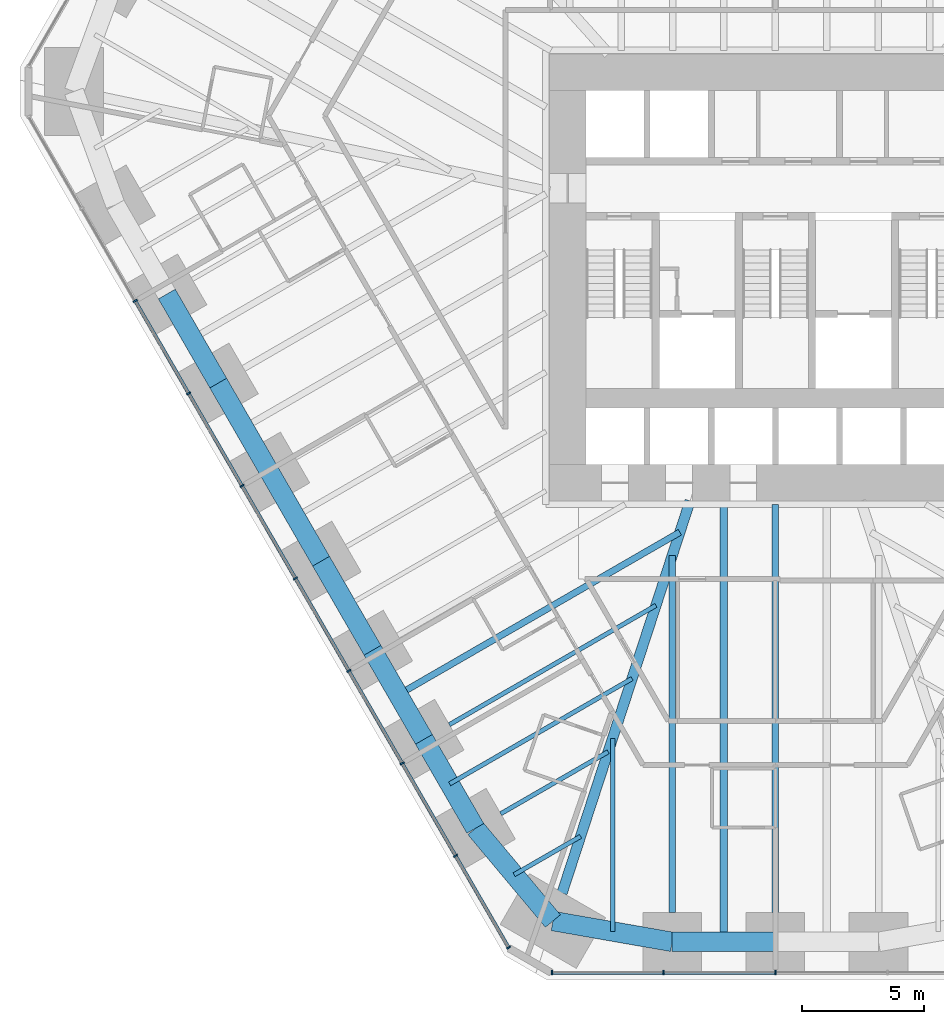
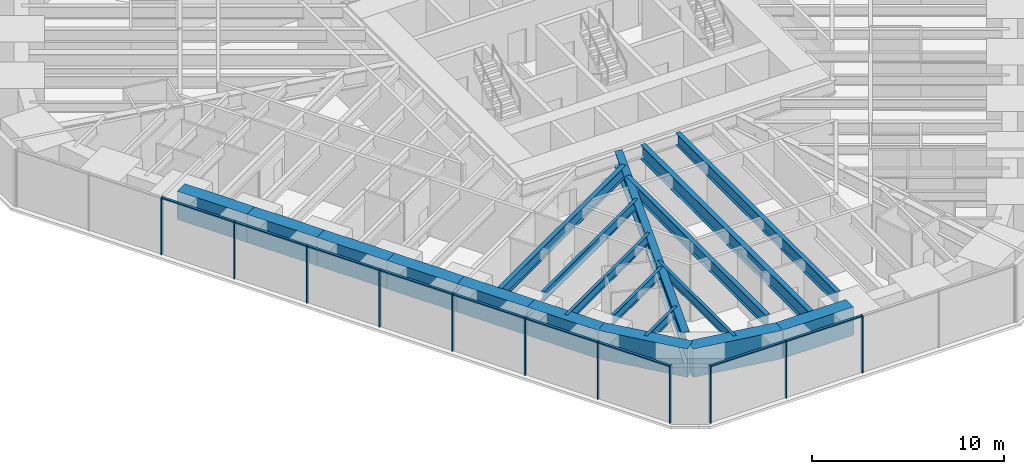
# One storey, part 2 of 17: 20 members, 19 beams, 2 elements without a shape of their own.
"""IFC4 building model written with IfcOpenShell, lengths in metres."""

from ifc_helpers import new_model, si_unit, direction, frame, origin, origin_2d, place, context, subcontext, project, spatial, rectangle, i_section, extrude, material, material_profile, profile_set, type_object, element, aggregate, save


model = new_model("IFC4")

# Units and contexts
model_context = context("Model", 3, precision=1e-05, world=origin(), true_north=direction((0.0, 1.0)))
body_context = subcontext(model_context, "Body", "Model", "MODEL_VIEW")
ifc_project = project(units=[si_unit("LENGTHUNIT", "METRE"), si_unit("AREAUNIT", "SQUARE_METRE"), si_unit("VOLUMEUNIT", "CUBIC_METRE"), si_unit("PLANEANGLEUNIT", "RADIAN"), si_unit("MASSUNIT", "GRAM", prefix="KILO")], contexts=[model_context])

# Site, building, storey
site_placement = place(None, origin())
site = spatial("IfcSite", under=ifc_project, at=site_placement, CompositionType="ELEMENT")
building_placement = place(site_placement, origin())
building = spatial("IfcBuilding", under=site, at=building_placement, Name="Sandreach Pilgrim Tower", CompositionType="ELEMENT")
storey_placement = place(building_placement, frame((0.0, 0.0, 53.39990234375)))
storey = spatial("IfcBuildingStorey", under=building, at=storey_placement, Name="L12", CompositionType="ELEMENT", Elevation=53.39990234375)

# Curtain wall, members
ifc_material_1 = material(Name="Aluminium framed curtain wall", Category="aluminium")
curtain_wall_type = type_object("IfcCurtainWallType", Name="Hostel tower curtain wall", PredefinedType="NOTDEFINED", material=ifc_material_1)
curtain_wall_1_placement = place(storey_placement, origin())
curtain_wall_1 = element("IfcCurtainWall", 1, at=curtain_wall_1_placement, inside=storey, type_object=curtain_wall_type, Name="CW-1 L12 S", PredefinedType="NOTDEFINED")
ifc_material_2 = material(Name="Aluminium extrusion", Category="aluminium")
ifc_material_profile_1 = material_profile(ifc_material_2, rectangle(XDim=0.06494140625, YDim=0.179931640625, at=origin_2d()), Name="CW-1M 65X180")
ifc_profile_set_1 = profile_set([ifc_material_profile_1], Name="Aluminium extrusion")
member_type_1 = type_object("IfcMemberType", Name="CW-1 mullion", PredefinedType="MULLION", material=ifc_profile_set_1)
member_1_placement = place(storey_placement, frame((0.0, -30.010986328125, 0.0), z_axis=(0.0, 0.0, 1.0), x_axis=(-1.0, 0.0, 0.0)))
member_1 = element("IfcMember", 2, at=member_1_placement, type_object=member_type_1, Name="CW-1 mullion 3", PredefinedType="MULLION", context=body_context, shape_type="SweptSolid", body=[
    extrude(rectangle(XDim=0.06494140625, YDim=0.179931640625, at=origin_2d()), origin(), (0.0, 0.0, 1.0), 3.64013671875),
])
member_2_placement = place(storey_placement, frame((-4.5859375, -30.010986328125, 0.0), z_axis=(0.0, 0.0, 1.0), x_axis=(-1.0, 0.0, 0.0)))
member_2 = element("IfcMember", 3, at=member_2_placement, type_object=member_type_1, Name="CW-1 mullion 4", PredefinedType="MULLION", context=body_context, shape_type="SweptSolid", body=[
    extrude(rectangle(XDim=0.06494140625, YDim=0.179931640625, at=origin_2d()), origin(), (0.0, 0.0, 1.0), 3.64013671875),
])
member_3_placement = place(storey_placement, frame((-9.1396484375, -30.010986328125, 0.0), z_axis=(0.0, 0.0, 1.0), x_axis=(-1.0, 0.0, 0.0)))
member_3 = element("IfcMember", 4, at=member_3_placement, type_object=member_type_1, Name="CW-1 mullion 5", PredefinedType="MULLION", context=body_context, shape_type="SweptSolid", body=[
    extrude(rectangle(XDim=0.06494140625, YDim=0.179931640625, at=origin_2d()), origin(), (0.0, 0.0, 1.0), 3.64013671875),
])

curtain_wall_2_placement = place(storey_placement, origin())
curtain_wall_2 = element("IfcCurtainWall", 5, at=curtain_wall_2_placement, inside=storey, type_object=curtain_wall_type, Name="CW-1 L12 SW", PredefinedType="NOTDEFINED")
member_4_placement = place(storey_placement, frame((-10.92041015625, -28.982666015625, 0.0), z_axis=(0.0, 0.0, 1.0), x_axis=(-0.5, 0.866025403784, 0.0)))
member_4 = element("IfcMember", 6, at=member_4_placement, type_object=member_type_1, Name="CW-1 mullion 1", PredefinedType="MULLION", context=body_context, shape_type="SweptSolid", body=[
    extrude(rectangle(XDim=0.06494140625, YDim=0.179931640625, at=origin_2d()), origin(), (0.0, 0.0, 1.0), 3.64013671875),
])
member_5_placement = place(storey_placement, frame((-13.08984375, -25.22509765625, 0.0), z_axis=(0.0, 0.0, 1.0), x_axis=(-0.5, 0.866025403784, 0.0)))
member_5 = element("IfcMember", 7, at=member_5_placement, type_object=member_type_1, Name="CW-1 mullion 2", PredefinedType="MULLION", context=body_context, shape_type="SweptSolid", body=[
    extrude(rectangle(XDim=0.06494140625, YDim=0.179931640625, at=origin_2d()), origin(), (0.0, 0.0, 1.0), 3.64013671875),
])
member_6_placement = place(storey_placement, frame((-15.275634765625, -21.439208984375, 0.0), z_axis=(0.0, 0.0, 1.0), x_axis=(-0.5, 0.866025403784, 0.0)))
member_6 = element("IfcMember", 8, at=member_6_placement, type_object=member_type_1, Name="CW-1 mullion 3", PredefinedType="MULLION", context=body_context, shape_type="SweptSolid", body=[
    extrude(rectangle(XDim=0.06494140625, YDim=0.179931640625, at=origin_2d()), origin(), (0.0, 0.0, 1.0), 3.64013671875),
])
member_7_placement = place(storey_placement, frame((-17.46142578125, -17.6533203125, 0.0), z_axis=(0.0, 0.0, 1.0), x_axis=(-0.5, 0.866025403784, 0.0)))
member_7 = element("IfcMember", 9, at=member_7_placement, type_object=member_type_1, Name="CW-1 mullion 4", PredefinedType="MULLION", context=body_context, shape_type="SweptSolid", body=[
    extrude(rectangle(XDim=0.06494140625, YDim=0.179931640625, at=origin_2d()), origin(), (0.0, 0.0, 1.0), 3.64013671875),
])
member_8_placement = place(storey_placement, frame((-19.647216796875, -13.8671875, 0.0), z_axis=(0.0, 0.0, 1.0), x_axis=(-0.5, 0.866025403784, 0.0)))
member_8 = element("IfcMember", 10, at=member_8_placement, type_object=member_type_1, Name="CW-1 mullion 5", PredefinedType="MULLION", context=body_context, shape_type="SweptSolid", body=[
    extrude(rectangle(XDim=0.06494140625, YDim=0.179931640625, at=origin_2d()), origin(), (0.0, 0.0, 1.0), 3.64013671875),
])
member_9_placement = place(storey_placement, frame((-21.8330078125, -10.081298828125, 0.0), z_axis=(0.0, 0.0, 1.0), x_axis=(-0.5, 0.866025403784, 0.0)))
member_9 = element("IfcMember", 11, at=member_9_placement, type_object=member_type_1, Name="CW-1 mullion 6", PredefinedType="MULLION", context=body_context, shape_type="SweptSolid", body=[
    extrude(rectangle(XDim=0.06494140625, YDim=0.179931640625, at=origin_2d()), origin(), (0.0, 0.0, 1.0), 3.64013671875),
])
member_10_placement = place(storey_placement, frame((-24.018798828125, -6.29541015625, 0.0), z_axis=(0.0, 0.0, 1.0), x_axis=(-0.5, 0.866025403784, 0.0)))
member_10 = element("IfcMember", 12, at=member_10_placement, type_object=member_type_1, Name="CW-1 mullion 7", PredefinedType="MULLION", context=body_context, shape_type="SweptSolid", body=[
    extrude(rectangle(XDim=0.06494140625, YDim=0.179931640625, at=origin_2d()), origin(), (0.0, 0.0, 1.0), 3.64013671875),
])
member_11_placement = place(storey_placement, frame((-26.20458984375, -2.509521484375, 0.0), z_axis=(0.0, 0.0, 1.0), x_axis=(-0.5, 0.866025403784, 0.0)))
member_11 = element("IfcMember", 13, at=member_11_placement, type_object=member_type_1, Name="CW-1 mullion 8", PredefinedType="MULLION", context=body_context, shape_type="SweptSolid", body=[
    extrude(rectangle(XDim=0.06494140625, YDim=0.179931640625, at=origin_2d()), origin(), (0.0, 0.0, 1.0), 3.64013671875),
])

# Member
ifc_material_3 = material(Name="Aluminium extrusion", Category="aluminium")
ifc_material_profile_2 = material_profile(ifc_material_3, rectangle(XDim=0.139892578125, YDim=0.070068359375, at=origin_2d()), Name="CW-1T 140X70")
ifc_profile_set_2 = profile_set([ifc_material_profile_2], Name="Aluminium extrusion")
member_type_2 = type_object("IfcMemberType", Name="CW-1 transom", PredefinedType="USERDEFINED", material=ifc_profile_set_2)
member_12_placement = place(storey_placement, frame((-0.032470703125, -30.010986328125, 3.60498046875), z_axis=(-1.0, 0.0, 0.0), x_axis=(0.0, -1.0, 0.0)))
member_12 = element("IfcMember", 14, at=member_12_placement, type_object=member_type_2, Name="CW-1 head transom 3", ObjectType="TRANSOM", PredefinedType="USERDEFINED", context=body_context, shape_type="SweptSolid", body=[
    extrude(rectangle(XDim=0.139892578125, YDim=0.070068359375, at=origin_2d()), origin(), (0.0, 0.0, 1.0), 4.52099609375),
])

member_13_placement = place(storey_placement, frame((-4.61865234375, -30.010986328125, 3.60498046875), z_axis=(-1.0, 0.0, 0.0), x_axis=(0.0, -1.0, 0.0)))
member_13 = element("IfcMember", 15, at=member_13_placement, type_object=member_type_2, Name="CW-1 head transom 4", ObjectType="TRANSOM", PredefinedType="USERDEFINED", context=body_context, shape_type="SweptSolid", body=[
    extrude(rectangle(XDim=0.139892578125, YDim=0.070068359375, at=origin_2d()), origin(), (0.0, 0.0, 1.0), 4.488525390625),
])

aggregate(curtain_wall_1, [member_1, member_2, member_3, member_12, member_13])

member_14_placement = place(storey_placement, frame((-10.9365234375, -28.95458984375, 3.60498046875), z_axis=(-0.500033953635, 0.866005799756, 0.0), x_axis=(-0.866005799756, -0.500033953635, 0.0)))
member_14 = element("IfcMember", 16, at=member_14_placement, type_object=member_type_2, Name="CW-1 head transom 1", ObjectType="TRANSOM", PredefinedType="USERDEFINED", context=body_context, shape_type="SweptSolid", body=[
    extrude(rectangle(XDim=0.139892578125, YDim=0.070068359375, at=origin_2d()), origin(), (0.0, 0.0, 1.0), 4.274169921875),
])

member_15_placement = place(storey_placement, frame((-13.106201171875, -25.19677734375, 3.60498046875), z_axis=(-0.500016891966, 0.866015650984, 0.0), x_axis=(-0.866015650984, -0.500016891966, 0.0)))
member_15 = element("IfcMember", 17, at=member_15_placement, type_object=member_type_2, Name="CW-1 head transom 2", ObjectType="TRANSOM", PredefinedType="USERDEFINED", context=body_context, shape_type="SweptSolid", body=[
    extrude(rectangle(XDim=0.139892578125, YDim=0.070068359375, at=origin_2d()), origin(), (0.0, 0.0, 1.0), 4.306396484375),
])

member_16_placement = place(storey_placement, frame((-15.2919921875, -21.410888671875, 3.60498046875), z_axis=(-0.500016891966, 0.866015650984, 0.0), x_axis=(-0.866015650984, -0.500016891966, 0.0)))
member_16 = element("IfcMember", 18, at=member_16_placement, type_object=member_type_2, Name="CW-1 head transom 3", ObjectType="TRANSOM", PredefinedType="USERDEFINED", context=body_context, shape_type="SweptSolid", body=[
    extrude(rectangle(XDim=0.139892578125, YDim=0.070068359375, at=origin_2d()), origin(), (0.0, 0.0, 1.0), 4.306396484375),
])

member_17_placement = place(storey_placement, frame((-17.477783203125, -17.625, 3.60498046875), z_axis=(-0.500016891966, 0.866015650984, 0.0), x_axis=(-0.866015650984, -0.500016891966, 0.0)))
member_17 = element("IfcMember", 19, at=member_17_placement, type_object=member_type_2, Name="CW-1 head transom 4", ObjectType="TRANSOM", PredefinedType="USERDEFINED", context=body_context, shape_type="SweptSolid", body=[
    extrude(rectangle(XDim=0.139892578125, YDim=0.070068359375, at=origin_2d()), origin(), (0.0, 0.0, 1.0), 4.306396484375),
])

member_18_placement = place(storey_placement, frame((-19.66357421875, -13.839111328125, 3.60498046875), z_axis=(-0.500016891966, 0.866015650984, 0.0), x_axis=(-0.866015650984, -0.500016891966, 0.0)))
member_18 = element("IfcMember", 20, at=member_18_placement, type_object=member_type_2, Name="CW-1 head transom 5", ObjectType="TRANSOM", PredefinedType="USERDEFINED", context=body_context, shape_type="SweptSolid", body=[
    extrude(rectangle(XDim=0.139892578125, YDim=0.070068359375, at=origin_2d()), origin(), (0.0, 0.0, 1.0), 4.306396484375),
])

member_19_placement = place(storey_placement, frame((-21.849365234375, -10.05322265625, 3.60498046875), z_axis=(-0.500016891966, 0.866015650984, 0.0), x_axis=(-0.866015650984, -0.500016891966, 0.0)))
member_19 = element("IfcMember", 21, at=member_19_placement, type_object=member_type_2, Name="CW-1 head transom 6", ObjectType="TRANSOM", PredefinedType="USERDEFINED", context=body_context, shape_type="SweptSolid", body=[
    extrude(rectangle(XDim=0.139892578125, YDim=0.070068359375, at=origin_2d()), origin(), (0.0, 0.0, 1.0), 4.306396484375),
])

member_20_placement = place(storey_placement, frame((-24.03515625, -6.267333984375, 3.60498046875), z_axis=(-0.500016891966, 0.866015650984, 0.0), x_axis=(-0.866015650984, -0.500016891966, 0.0)))
member_20 = element("IfcMember", 22, at=member_20_placement, type_object=member_type_2, Name="CW-1 head transom 7", ObjectType="TRANSOM", PredefinedType="USERDEFINED", context=body_context, shape_type="SweptSolid", body=[
    extrude(rectangle(XDim=0.139892578125, YDim=0.070068359375, at=origin_2d()), origin(), (0.0, 0.0, 1.0), 4.306396484375),
])

aggregate(curtain_wall_2, [member_4, member_5, member_6, member_7, member_8, member_9, member_10, member_11, member_14, member_15, member_16, member_17, member_18, member_19, member_20])

# Beams
ifc_material_4 = material(Name="Steel ASTM A992 Grade 50", Category="steel")
ifc_material_profile_3 = material_profile(ifc_material_4, i_section(OverallWidth=0.424072265625, OverallDepth=0.965087890625, WebThickness=0.028564453125, FlangeThickness=0.051025390625, at=origin_2d()), Name="W36X361")
ifc_profile_set_3 = profile_set([ifc_material_profile_3], Name="Steel ASTM A992 Grade 50")
beam_type_1 = type_object("IfcBeamType", Name="Corner girder W36X361", PredefinedType="BEAM", material=ifc_profile_set_3)
beam_1_placement = place(storey_placement, frame((-8.73388671875, -26.756103515625, 3.157470703125), z_axis=(0.310315410754, 0.950633654911, 0.0), x_axis=(-0.950633654911, 0.310315410754, 0.0)))
element("IfcBeam", 23, at=beam_1_placement, inside=storey, type_object=beam_type_1, Name="BM L12 CG26", PredefinedType="BEAM", context=body_context, shape_type="SweptSolid", body=[
    extrude(i_section(OverallWidth=0.424072265625, OverallDepth=0.965087890625, WebThickness=0.028564453125, FlangeThickness=0.051025390625, at=origin_2d()), origin(), (0.0, 0.0, 1.0), 16.889892578125),
])
ifc_material_5 = material(Name="Steel ASTM A992 Grade 50", Category="steel")
ifc_material_profile_4 = material_profile(ifc_material_5, i_section(OverallWidth=0.1787109375, OverallDepth=0.60205078125, WebThickness=0.010986328125, FlangeThickness=0.014892578125, at=origin_2d()), Name="W24X62")
ifc_profile_set_4 = profile_set([ifc_material_profile_4], Name="Steel ASTM A992 Grade 50")
beam_type_2 = type_object("IfcBeamType", Name="Floor beam W24X62", PredefinedType="BEAM", material=ifc_profile_set_4)
beam_2_placement = place(storey_placement, frame((-11.242431640625, -23.5048828125, 3.339111328125), z_axis=(0.866027897259, 0.49999568115, 0.0), x_axis=(-0.49999568115, 0.866027897259, 0.0)))
element("IfcBeam", 24, at=beam_2_placement, inside=storey, type_object=beam_type_2, Name="BM L12 F27", PredefinedType="BEAM", context=body_context, shape_type="SweptSolid", body=[
    extrude(i_section(OverallWidth=0.1787109375, OverallDepth=0.60205078125, WebThickness=0.010986328125, FlangeThickness=0.014892578125, at=origin_2d()), origin(), (0.0, 0.0, 1.0), 5.0791015625),
])
beam_3_placement = place(storey_placement, frame((-13.347412109375, -19.859130859375, 3.339111328125), z_axis=(0.866025751498, 0.499999397742, 0.0), x_axis=(-0.499999397742, 0.866025751498, 0.0)))
element("IfcBeam", 25, at=beam_3_placement, inside=storey, type_object=beam_type_2, Name="BM L12 F28", PredefinedType="BEAM", context=body_context, shape_type="SweptSolid", body=[
    extrude(i_section(OverallWidth=0.1787109375, OverallDepth=0.60205078125, WebThickness=0.010986328125, FlangeThickness=0.014892578125, at=origin_2d()), origin(), (0.0, 0.0, 1.0), 9.767578125),
])
beam_4_placement = place(storey_placement, frame((-6.664306640625, -28.323974609375, 3.339111328125), z_axis=(0.0, 1.0, 0.0), x_axis=(-1.0, 0.0, 0.0)))
element("IfcBeam", 26, at=beam_4_placement, inside=storey, type_object=beam_type_2, Name="BM L12 FM25", PredefinedType="BEAM", context=body_context, shape_type="SweptSolid", body=[
    extrude(i_section(OverallWidth=0.1787109375, OverallDepth=0.60205078125, WebThickness=0.010986328125, FlangeThickness=0.014892578125, at=origin_2d()), origin(), (0.0, 0.0, 1.0), 7.907958984375),
])
beam_5_placement = place(storey_placement, frame((-10.694091796875, -26.0009765625, 3.339111328125), z_axis=(0.866023718453, 0.500002919068, 0.0), x_axis=(-0.500002919068, 0.866023718453, 0.0)))
element("IfcBeam", 27, at=beam_5_placement, inside=storey, type_object=beam_type_2, Name="BM L12 FM26", PredefinedType="BEAM", context=body_context, shape_type="SweptSolid", body=[
    extrude(i_section(OverallWidth=0.1787109375, OverallDepth=0.60205078125, WebThickness=0.010986328125, FlangeThickness=0.014892578125, at=origin_2d()), origin(), (0.0, 0.0, 1.0), 3.1396484375),
])
beam_6_placement = place(storey_placement, frame((-13.334228515625, -22.281982421875, 3.339111328125), z_axis=(0.86602717807, 0.499996926835, 0.0), x_axis=(-0.499996926835, 0.86602717807, 0.0)))
element("IfcBeam", 28, at=beam_6_placement, inside=storey, type_object=beam_type_2, Name="BM L12 FM27", PredefinedType="BEAM", context=body_context, shape_type="SweptSolid", body=[
    extrude(i_section(OverallWidth=0.1787109375, OverallDepth=0.60205078125, WebThickness=0.010986328125, FlangeThickness=0.014892578125, at=origin_2d()), origin(), (0.0, 0.0, 1.0), 8.62353515625),
])
ifc_material_6 = material(Name="Steel ASTM A992 Grade 50", Category="steel")
ifc_material_profile_5 = material_profile(ifc_material_6, i_section(OverallWidth=0.2666015625, OverallDepth=0.761962890625, WebThickness=0.014404296875, FlangeThickness=0.021484375, at=origin_2d()), Name="W30X116")
ifc_profile_set_5 = profile_set([ifc_material_profile_5], Name="Steel ASTM A992 Grade 50")
beam_type_3 = type_object("IfcBeamType", Name="Floor beam W30X116", PredefinedType="BEAM", material=ifc_profile_set_5)
beam_7_placement = place(storey_placement, frame((-4.222412109375, -27.55078125, 3.259033203125), z_axis=(0.0, 1.0, 0.0), x_axis=(-1.0, 0.0, 0.0)))
element("IfcBeam", 29, at=beam_7_placement, inside=storey, type_object=beam_type_3, Name="BM L12 F25", PredefinedType="BEAM", context=body_context, shape_type="SweptSolid", body=[
    extrude(i_section(OverallWidth=0.2666015625, OverallDepth=0.761962890625, WebThickness=0.014404296875, FlangeThickness=0.021484375, at=origin_2d()), origin(), (0.0, 0.0, 1.0), 14.61572265625),
])
beam_8_placement = place(storey_placement, frame((-15.43896484375, -18.63623046875, 3.259033203125), z_axis=(0.866021271874, 0.50000715661, 0.0), x_axis=(-0.50000715661, 0.866021271874, 0.0)))
element("IfcBeam", 30, at=beam_8_placement, inside=storey, type_object=beam_type_3, Name="BM L12 FM28", PredefinedType="BEAM", context=body_context, shape_type="SweptSolid", body=[
    extrude(i_section(OverallWidth=0.2666015625, OverallDepth=0.761962890625, WebThickness=0.014404296875, FlangeThickness=0.021484375, at=origin_2d()), origin(), (0.0, 0.0, 1.0), 13.311767578125),
])
ifc_material_7 = material(Name="Steel ASTM A992 Grade 50", Category="steel")
ifc_material_profile_6 = material_profile(ifc_material_7, i_section(OverallWidth=0.2666015625, OverallDepth=0.77978515625, WebThickness=0.0166015625, FlangeThickness=0.030029296875, at=origin_2d()), Name="W30X148")
ifc_profile_set_6 = profile_set([ifc_material_profile_6], Name="Steel ASTM A992 Grade 50")
beam_type_4 = type_object("IfcBeamType", Name="Floor beam W30X148", PredefinedType="BEAM", material=ifc_profile_set_6)
beam_9_placement = place(storey_placement, frame((0.0, -27.55078125, 3.250244140625), z_axis=(0.0, 1.0, 0.0), x_axis=(-1.0, 0.0, 0.0)))
element("IfcBeam", 31, at=beam_9_placement, inside=storey, type_object=beam_type_4, Name="BM L12 F24", PredefinedType="BEAM", context=body_context, shape_type="SweptSolid", body=[
    extrude(i_section(OverallWidth=0.2666015625, OverallDepth=0.77978515625, WebThickness=0.0166015625, FlangeThickness=0.030029296875, at=origin_2d()), origin(), (0.0, 0.0, 1.0), 16.70751953125),
])
ifc_material_8 = material(Name="Steel ASTM A992 Grade 50", Category="steel")
ifc_material_profile_7 = material_profile(ifc_material_8, i_section(OverallWidth=0.3046875, OverallDepth=0.914306640625, WebThickness=0.0166015625, FlangeThickness=0.02587890625, at=origin_2d()), Name="W36X160")
ifc_profile_set_7 = profile_set([ifc_material_profile_7], Name="Steel ASTM A992 Grade 50")
beam_type_5 = type_object("IfcBeamType", Name="Floor beam W36X160", PredefinedType="BEAM", material=ifc_profile_set_7)
beam_10_placement = place(storey_placement, frame((-2.111083984375, -28.7509765625, 3.182861328125), z_axis=(0.0, 1.0, 0.0), x_axis=(-1.0, 0.0, 0.0)))
element("IfcBeam", 32, at=beam_10_placement, inside=storey, type_object=beam_type_5, Name="BM L12 FM24", PredefinedType="BEAM", context=body_context, shape_type="SweptSolid", body=[
    extrude(i_section(OverallWidth=0.3046875, OverallDepth=0.914306640625, WebThickness=0.0166015625, FlangeThickness=0.02587890625, at=origin_2d()), origin(), (0.0, 0.0, 1.0), 17.90771484375),
])
ifc_material_9 = material(Name="Concrete 10000 psi", Category="concrete")
ifc_material_profile_8 = material_profile(ifc_material_9, rectangle(XDim=0.800048828125, YDim=1.800048828125, at=origin_2d()), Name="RC800X1800")
ifc_profile_set_8 = profile_set([ifc_material_profile_8], Name="Concrete 10000 psi")
beam_type_6 = type_object("IfcBeamType", Name="Spandrel beam RC800X1800", PredefinedType="SPANDREL", material=ifc_profile_set_8)
beam_11_placement = place(storey_placement, frame((0.0, -28.7509765625, 2.739990234375), z_axis=(-1.0, 0.0, 0.0), x_axis=(0.0, -1.0, 0.0)))
element("IfcBeam", 33, at=beam_11_placement, inside=storey, type_object=beam_type_6, Name="BM L12 SP24", PredefinedType="SPANDREL", context=body_context, shape_type="SweptSolid", body=[
    extrude(rectangle(XDim=0.800048828125, YDim=1.800048828125, at=origin_2d()), origin(), (0.0, 0.0, 1.0), 4.222412109375),
])
beam_12_placement = place(storey_placement, frame((-4.222412109375, -28.7509765625, 2.739990234375), z_axis=(-0.985054495501, 0.17224297052, 0.0), x_axis=(-0.17224297052, -0.985054495501, 0.0)))
element("IfcBeam", 34, at=beam_12_placement, inside=storey, type_object=beam_type_6, Name="BM L12 SP25", PredefinedType="SPANDREL", context=body_context, shape_type="SweptSolid", body=[
    extrude(rectangle(XDim=0.800048828125, YDim=1.800048828125, at=origin_2d()), origin(), (0.0, 0.0, 1.0), 4.958251953125),
])
beam_13_placement = place(storey_placement, frame((-9.1064453125, -27.89697265625, 2.739990234375), z_axis=(-0.642008193922, 0.766697775488, 0.0), x_axis=(-0.766697775488, -0.642008193922, 0.0)))
element("IfcBeam", 35, at=beam_13_placement, inside=storey, type_object=beam_type_6, Name="BM L12 SP26", PredefinedType="SPANDREL", context=body_context, shape_type="SweptSolid", body=[
    extrude(rectangle(XDim=0.800048828125, YDim=1.800048828125, at=origin_2d()), origin(), (0.0, 0.0, 1.0), 4.94580078125),
])
beam_14_placement = place(storey_placement, frame((-12.28173828125, -24.10498046875, 2.739990234375), z_axis=(-0.499993523031, 0.866029143232, 0.0), x_axis=(-0.866029143232, -0.499993523031, 0.0)))
element("IfcBeam", 36, at=beam_14_placement, inside=storey, type_object=beam_type_6, Name="BM L12 SP27", PredefinedType="SPANDREL", context=body_context, shape_type="SweptSolid", body=[
    extrude(rectangle(XDim=0.800048828125, YDim=1.800048828125, at=origin_2d()), origin(), (0.0, 0.0, 1.0), 4.2099609375),
])
beam_15_placement = place(storey_placement, frame((-14.38671875, -20.458984375, 2.739990234375), z_axis=(-0.499975138639, 0.866039757022, 0.0), x_axis=(-0.866039757022, -0.499975138639, 0.0)))
element("IfcBeam", 37, at=beam_15_placement, inside=storey, type_object=beam_type_6, Name="BM L12 SP28", PredefinedType="SPANDREL", context=body_context, shape_type="SweptSolid", body=[
    extrude(rectangle(XDim=0.800048828125, YDim=1.800048828125, at=origin_2d()), origin(), (0.0, 0.0, 1.0), 4.209716796875),
])
beam_16_placement = place(storey_placement, frame((-16.491455078125, -16.813232421875, 2.739990234375), z_axis=(-0.499993523031, 0.866029143232, 0.0), x_axis=(-0.866029143232, -0.499993523031, 0.0)))
element("IfcBeam", 38, at=beam_16_placement, inside=storey, type_object=beam_type_6, Name="BM L12 SP29", PredefinedType="SPANDREL", context=body_context, shape_type="SweptSolid", body=[
    extrude(rectangle(XDim=0.800048828125, YDim=1.800048828125, at=origin_2d()), origin(), (0.0, 0.0, 1.0), 4.2099609375),
])
beam_17_placement = place(storey_placement, frame((-18.596435546875, -13.167236328125, 2.739990234375), z_axis=(-0.50001863446, 0.866014644907, 0.0), x_axis=(-0.866014644907, -0.50001863446, 0.0)))
element("IfcBeam", 39, at=beam_17_placement, inside=storey, type_object=beam_type_6, Name="BM L12 SP30", PredefinedType="SPANDREL", context=body_context, shape_type="SweptSolid", body=[
    extrude(rectangle(XDim=0.800048828125, YDim=1.800048828125, at=origin_2d()), origin(), (0.0, 0.0, 1.0), 4.209716796875),
])
beam_18_placement = place(storey_placement, frame((-20.701416015625, -9.521484375, 2.739990234375), z_axis=(-0.499993523031, 0.866029143232, 0.0), x_axis=(-0.866029143232, -0.499993523031, 0.0)))
element("IfcBeam", 40, at=beam_18_placement, inside=storey, type_object=beam_type_6, Name="BM L12 SP31", PredefinedType="SPANDREL", context=body_context, shape_type="SweptSolid", body=[
    extrude(rectangle(XDim=0.800048828125, YDim=1.800048828125, at=origin_2d()), origin(), (0.0, 0.0, 1.0), 4.2099609375),
])
beam_19_placement = place(storey_placement, frame((-22.806396484375, -5.87548828125, 2.739990234375), z_axis=(-0.50001863446, 0.866014644907, 0.0), x_axis=(-0.866014644907, -0.50001863446, 0.0)))
element("IfcBeam", 41, at=beam_19_placement, inside=storey, type_object=beam_type_6, Name="BM L12 SP32", PredefinedType="SPANDREL", context=body_context, shape_type="SweptSolid", body=[
    extrude(rectangle(XDim=0.800048828125, YDim=1.800048828125, at=origin_2d()), origin(), (0.0, 0.0, 1.0), 4.209716796875),
])

save(model, "model.ifc")
